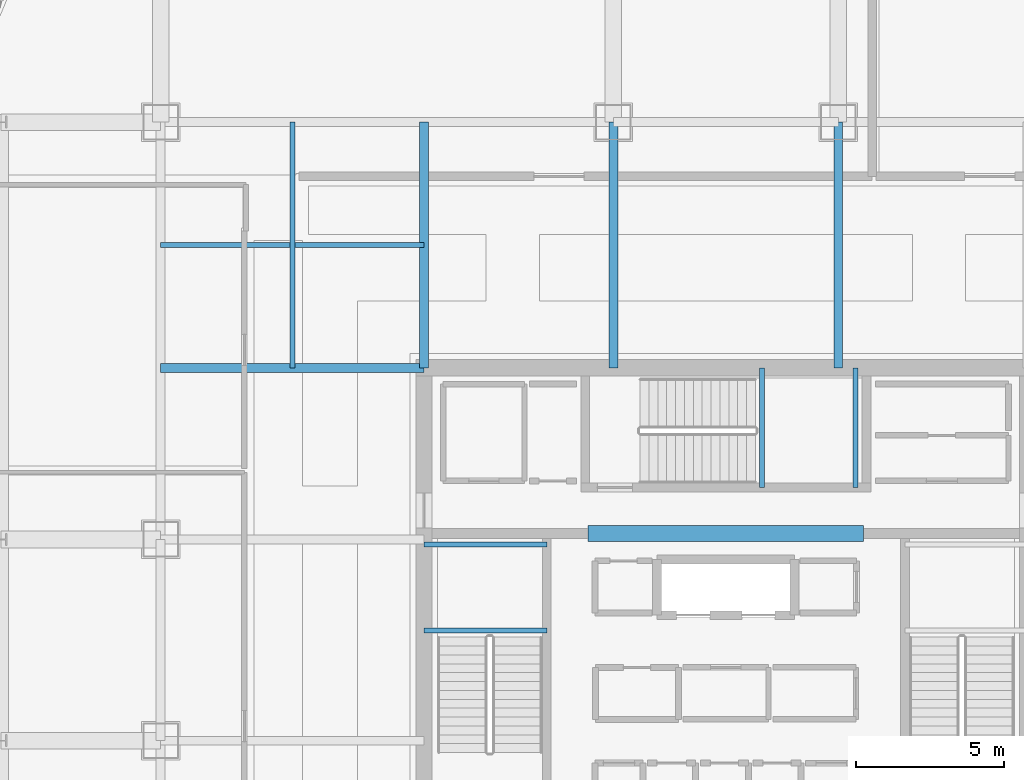
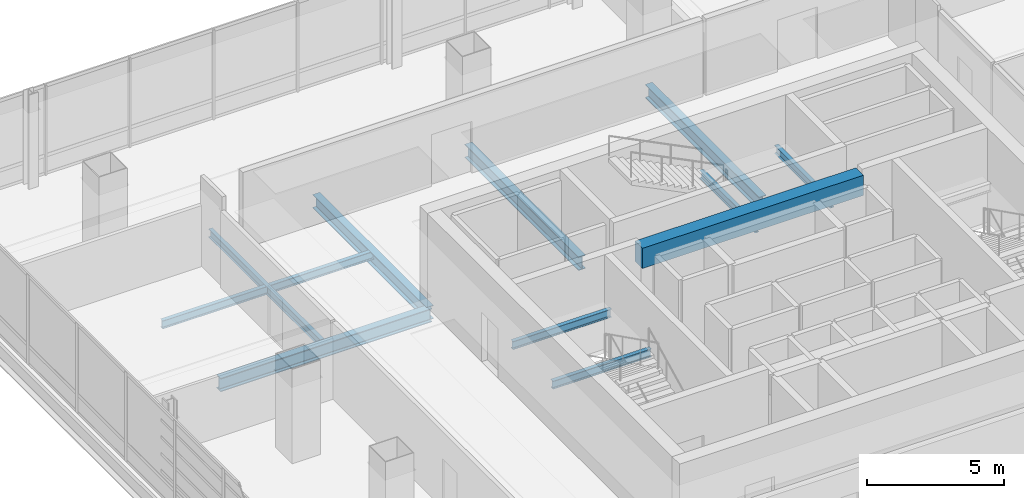
# One storey, part 14 of 42: 11 beams.
"""IFC4 building model written with IfcOpenShell, lengths in metres."""

from ifc_helpers import new_model, si_unit, direction, frame, origin, origin_2d, place, context, subcontext, project, spatial, rectangle, i_section, extrude, material, material_profile, profile_set, type_object, element, save


model = new_model("IFC4")

# Units and contexts
model_context = context("Model", 3, precision=1e-05, world=origin(), true_north=direction((0.0, 1.0)))
body_context = subcontext(model_context, "Body", "Model", "MODEL_VIEW")
ifc_project = project(units=[si_unit("LENGTHUNIT", "METRE"), si_unit("AREAUNIT", "SQUARE_METRE"), si_unit("VOLUMEUNIT", "CUBIC_METRE"), si_unit("PLANEANGLEUNIT", "RADIAN"), si_unit("MASSUNIT", "GRAM", prefix="KILO")], contexts=[model_context])

# Site, building, storey
site_placement = place(None, origin())
site = spatial("IfcSite", under=ifc_project, at=site_placement, CompositionType="ELEMENT")
building_placement = place(site_placement, origin())
building = spatial("IfcBuilding", under=site, at=building_placement, Name="Punatoya Terracotta Tower", CompositionType="ELEMENT")
storey_placement = place(building_placement, frame((0.0, 0.0, 304.800048828125)))
storey = spatial("IfcBuildingStorey", under=building, at=storey_placement, Name="L72", CompositionType="ELEMENT", Elevation=304.800048828125)

# Beams
ifc_material_1 = material(Name="Steel S355", Category="steel")
ifc_material_profile_1 = material_profile(ifc_material_1, i_section(OverallWidth=0.300048828125, OverallDepth=0.60009765625, WebThickness=0.015380859375, FlangeThickness=0.030029296875, FilletRadius=0.01806640625, at=origin_2d()))
ifc_profile_set_1 = profile_set([ifc_material_profile_1], Name="Steel S355")
beam_type_1 = type_object("IfcBeamType", Name="BM-PRI-600", PredefinedType="BEAM", material=ifc_profile_set_1)
beam_1_placement = place(storey_placement, frame((-19.10009765625, 9.199951171875, -0.5), z_axis=(1.0, 0.0, 0.0), x_axis=(0.0, 1.0, 0.0)))
element("IfcBeam", 1, at=beam_1_placement, inside=storey, type_object=beam_type_1, Name="BM-L72-PR-WN", PredefinedType="BEAM", context=body_context, shape_type="SweptSolid", body=[
    extrude(i_section(OverallWidth=0.300048828125, OverallDepth=0.60009765625, WebThickness=0.015380859375, FlangeThickness=0.030029296875, FilletRadius=0.01806640625, at=origin_2d()), origin(), (0.0, 0.0, 1.0), 8.900146484375),
])
for number, where, z_axis, x_axis, name in (
    (2, (-10.199951171875, 9.199951171875, -0.5), (0.0, 1.0, 0.0), (-1.0, 0.0, 0.0), "BM-L72-PR-N1"),
    (3, (-3.800048828125, 9.199951171875, -0.5), (0.0, 1.0, 0.0), (-1.0, 0.0, 0.0), "BM-L72-PR-N2"),
    (4, (3.800048828125, 9.199951171875, -0.5), (0.0, 1.0, 0.0), (-1.0, 0.0, 0.0), "BM-L72-PR-N3"),
):
    element("IfcBeam", number, at=place(storey_placement, frame(where, z_axis=z_axis, x_axis=x_axis)), inside=storey, type_object=beam_type_1, Name=name, PredefinedType="BEAM", context=body_context, shape_type="SweptSolid", body=[
        extrude(i_section(OverallWidth=0.300048828125, OverallDepth=0.60009765625, WebThickness=0.015380859375, FlangeThickness=0.030029296875, FilletRadius=0.01806640625, at=origin_2d()), origin(), (0.0, 0.0, 1.0), 8.300048828125),
    ])
ifc_material_2 = material(Name="Concrete C50/60", Category="concrete")
ifc_material_profile_2 = material_profile(ifc_material_2, rectangle(XDim=0.550048828125, YDim=0.89990234375, at=origin_2d()))
ifc_profile_set_2 = profile_set([ifc_material_profile_2], Name="Concrete C50/60")
beam_type_2 = type_object("IfcBeamType", Name="BM-RC-900", PredefinedType="LINTEL", material=ifc_profile_set_2)
beam_2_placement = place(storey_placement, frame((-4.64990234375, 3.60009765625, 3.550048828125), z_axis=(1.0, 0.0, 0.0), x_axis=(0.0, 1.0, 0.0)))
element("IfcBeam", 5, at=beam_2_placement, inside=storey, type_object=beam_type_2, Name="L72 Core Coupling Lintel CNW", PredefinedType="LINTEL", context=body_context, shape_type="SweptSolid", body=[
    extrude(rectangle(XDim=0.550048828125, YDim=0.89990234375, at=origin_2d()), origin(), (0.0, 0.0, 1.0), 9.2998046875),
])
ifc_material_profile_3 = material_profile(ifc_material_1, i_section(OverallWidth=0.169921875, OverallDepth=0.360107421875, WebThickness=0.008056640625, FlangeThickness=0.0126953125, FilletRadius=0.01806640625, at=origin_2d()))
ifc_profile_set_3 = profile_set([ifc_material_profile_3], Name="Steel S355")
beam_type_3 = type_object("IfcBeamType", Name="BM-SEC-360", PredefinedType="JOIST", material=ifc_profile_set_3)
beam_3_placement = place(storey_placement, frame((-19.10009765625, 13.35009765625, -0.380126953125), z_axis=(1.0, 0.0, 0.0), x_axis=(0.0, 1.0, 0.0)))
element("IfcBeam", 6, at=beam_3_placement, inside=storey, type_object=beam_type_3, Name="BM-L72-SJN-1", PredefinedType="JOIST", context=body_context, shape_type="SweptSolid", body=[
    extrude(i_section(OverallWidth=0.169921875, OverallDepth=0.360107421875, WebThickness=0.008056640625, FlangeThickness=0.0126953125, FilletRadius=0.01806640625, at=origin_2d()), origin(), (0.0, 0.0, 1.0), 8.900146484375),
])
beam_4_placement = place(storey_placement, frame((-14.64990234375, 9.199951171875, -0.380126953125), z_axis=(0.0, 1.0, 0.0), x_axis=(-1.0, 0.0, 0.0)))
element("IfcBeam", 7, at=beam_4_placement, inside=storey, type_object=beam_type_3, Name="BM-L72-SJW-2", PredefinedType="JOIST", context=body_context, shape_type="SweptSolid", body=[
    extrude(i_section(OverallWidth=0.169921875, OverallDepth=0.360107421875, WebThickness=0.008056640625, FlangeThickness=0.0126953125, FilletRadius=0.01806640625, at=origin_2d()), origin(), (0.0, 0.0, 1.0), 8.300048828125),
])
for number, where, z_axis, x_axis, name in (
    (8, (-10.199951171875, 0.320068359375, 1.719970703125), (1.0, 0.0, 0.0), (0.0, 1.0, 0.0), "BM-L72-ST-1-LD1A"),
    (9, (-10.199951171875, 3.22998046875, 1.719970703125), (1.0, 0.0, 0.0), (0.0, 1.0, 0.0), "BM-L72-ST-1-LD1B"),
):
    element("IfcBeam", number, at=place(storey_placement, frame(where, z_axis=z_axis, x_axis=x_axis)), inside=storey, type_object=beam_type_3, Name=name, PredefinedType="JOIST", context=body_context, shape_type="SweptSolid", body=[
        extrude(i_section(OverallWidth=0.169921875, OverallDepth=0.360107421875, WebThickness=0.008056640625, FlangeThickness=0.0126953125, FilletRadius=0.01806640625, at=origin_2d()), origin(), (0.0, 0.0, 1.0), 4.14990234375),
    ])
for number, where, z_axis, x_axis, name in (
    (10, (1.219970703125, 5.14990234375, 1.719970703125), (0.0, 1.0, 0.0), (-1.0, 0.0, 0.0), "BM-L72-ST-3-LD1A"),
    (11, (4.3798828125, 5.14990234375, 1.719970703125), (0.0, 1.0, 0.0), (-1.0, 0.0, 0.0), "BM-L72-ST-3-LD1B"),
):
    element("IfcBeam", number, at=place(storey_placement, frame(where, z_axis=z_axis, x_axis=x_axis)), inside=storey, type_object=beam_type_3, Name=name, PredefinedType="JOIST", context=body_context, shape_type="SweptSolid", body=[
        extrude(i_section(OverallWidth=0.169921875, OverallDepth=0.360107421875, WebThickness=0.008056640625, FlangeThickness=0.0126953125, FilletRadius=0.01806640625, at=origin_2d()), origin(), (0.0, 0.0, 1.0), 4.050048828125),
    ])

save(model, "model.ifc")
